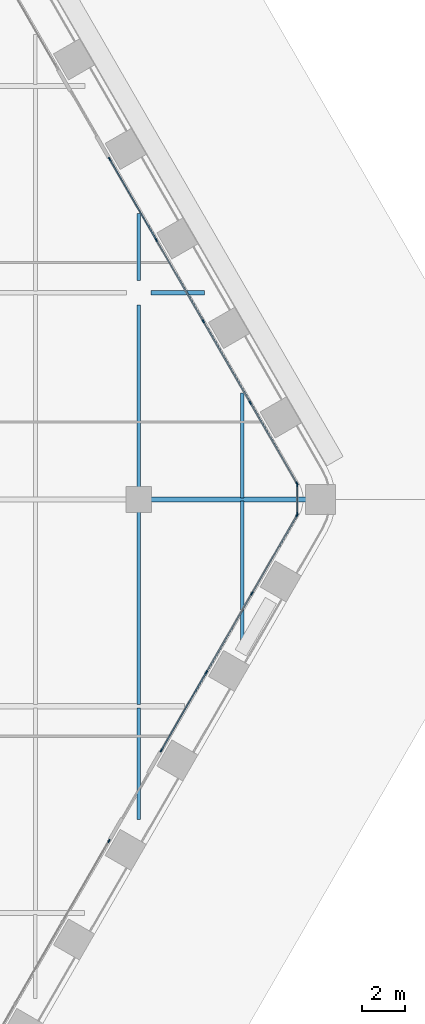
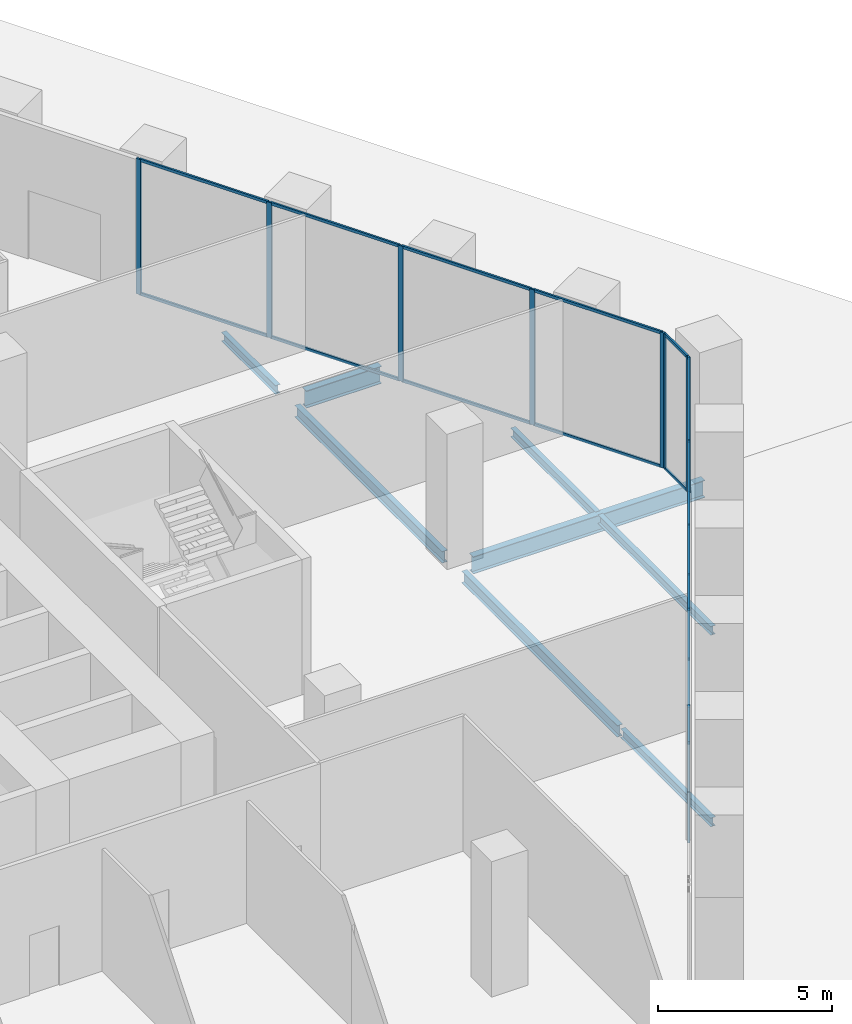
# One storey, part 11 of 29: 28 members, 8 beams, 4 elements without a shape of their own.
"""IFC4 building model written with IfcOpenShell, lengths in metres."""

from ifc_helpers import new_model, si_unit, direction, frame, origin, origin_2d, place, context, subcontext, project, spatial, rectangle, i_section, extrude, material, material_profile, profile_set, type_object, element, aggregate, save


model = new_model("IFC4")

# Units and contexts
model_context = context("Model", 3, precision=1e-05, world=origin(), true_north=direction((0.0, 1.0)))
body_context = subcontext(model_context, "Body", "Model", "MODEL_VIEW")
ifc_project = project(units=[si_unit("LENGTHUNIT", "METRE"), si_unit("AREAUNIT", "SQUARE_METRE"), si_unit("VOLUMEUNIT", "CUBIC_METRE"), si_unit("PLANEANGLEUNIT", "RADIAN"), si_unit("MASSUNIT", "GRAM", prefix="KILO")], contexts=[model_context])

# Site, building, storey
site_placement = place(None, origin())
site = spatial("IfcSite", under=ifc_project, at=site_placement, CompositionType="ELEMENT")
building_placement = place(site_placement, origin())
building = spatial("IfcBuilding", under=site, at=building_placement, Name="Kolab Exchange Tower", CompositionType="ELEMENT")
storey_placement = place(building_placement, frame((0.0, 0.0, 17.39990234375)))
storey = spatial("IfcBuildingStorey", under=building, at=storey_placement, Name="L03", CompositionType="ELEMENT", Elevation=17.39990234375)

# Beams
ifc_material_1 = material(Name="Steel S355", Category="steel")
ifc_material_profile_1 = material_profile(ifc_material_1, i_section(OverallWidth=0.1650390625, OverallDepth=0.31005859375, WebThickness=0.005859375, FlangeThickness=0.009765625, at=origin_2d()), Name="W310X39")
ifc_profile_set_1 = profile_set([ifc_material_profile_1], Name="Steel S355")
beam_type_1 = type_object("IfcBeamType", Name="FLOOR BEAM W310X39", PredefinedType="BEAM", material=ifc_profile_set_1)
beam_1_placement = place(storey_placement, frame((28.800048828125, -14.86767578125, -0.40478515625), z_axis=(0.0, 1.0, 0.0), x_axis=(-1.0, 0.0, 0.0)))
element("IfcBeam", 1, at=beam_1_placement, inside=storey, type_object=beam_type_1, Name="beam/L03/fr/074", PredefinedType="BEAM", context=body_context, shape_type="SweptSolid", body=[
    extrude(i_section(OverallWidth=0.1650390625, OverallDepth=0.31005859375, WebThickness=0.005859375, FlangeThickness=0.009765625, at=origin_2d()), origin(), (0.0, 0.0, 1.0), 5.1806640625),
])
beam_2_placement = place(storey_placement, frame((28.800048828125, 10.159912109375, -0.40478515625), z_axis=(0.0, 1.0, 0.0), x_axis=(-1.0, 0.0, 0.0)))
element("IfcBeam", 2, at=beam_2_placement, inside=storey, type_object=beam_type_1, Name="beam/L03/fr/077", PredefinedType="BEAM", context=body_context, shape_type="SweptSolid", body=[
    extrude(i_section(OverallWidth=0.1650390625, OverallDepth=0.31005859375, WebThickness=0.005859375, FlangeThickness=0.009765625, at=origin_2d()), origin(), (0.0, 0.0, 1.0), 3.107666015625),
])
beam_3_placement = place(storey_placement, frame((33.60009765625, -6.5537109375, -0.40478515625), z_axis=(0.0, 1.0, 0.0), x_axis=(-1.0, 0.0, 0.0)))
element("IfcBeam", 3, at=beam_3_placement, inside=storey, type_object=beam_type_1, Name="beam/L03/fr/078", PredefinedType="BEAM", context=body_context, shape_type="SweptSolid", body=[
    extrude(i_section(OverallWidth=0.1650390625, OverallDepth=0.31005859375, WebThickness=0.005859375, FlangeThickness=0.009765625, at=origin_2d()), origin(), (0.0, 0.0, 1.0), 6.479736328125),
])
beam_4_placement = place(storey_placement, frame((33.60009765625, 0.073974609375, -0.40478515625), z_axis=(0.0, 1.0, 0.0), x_axis=(-1.0, 0.0, 0.0)))
element("IfcBeam", 4, at=beam_4_placement, inside=storey, type_object=beam_type_1, Name="beam/L03/fr/079", PredefinedType="BEAM", context=body_context, shape_type="SweptSolid", body=[
    extrude(i_section(OverallWidth=0.1650390625, OverallDepth=0.31005859375, WebThickness=0.005859375, FlangeThickness=0.009765625, at=origin_2d()), origin(), (0.0, 0.0, 1.0), 4.8798828125),
])
ifc_material_profile_2 = material_profile(ifc_material_1, i_section(OverallWidth=0.177978515625, OverallDepth=0.406982421875, WebThickness=0.0078125, FlangeThickness=0.0126953125, at=origin_2d()), Name="W410X60")
ifc_profile_set_2 = profile_set([ifc_material_profile_2], Name="Steel S355")
beam_type_2 = type_object("IfcBeamType", Name="FLOOR BEAM W410X60", PredefinedType="BEAM", material=ifc_profile_set_2)
beam_5_placement = place(storey_placement, frame((28.800048828125, -9.512939453125, -0.453369140625), z_axis=(0.0, 1.0, 0.0), x_axis=(-1.0, 0.0, 0.0)))
element("IfcBeam", 5, at=beam_5_placement, inside=storey, type_object=beam_type_2, Name="beam/L03/fr/075", PredefinedType="BEAM", context=body_context, shape_type="SweptSolid", body=[
    extrude(i_section(OverallWidth=0.177978515625, OverallDepth=0.406982421875, WebThickness=0.0078125, FlangeThickness=0.0126953125, at=origin_2d()), origin(), (0.0, 0.0, 1.0), 8.952880859375),
])
beam_6_placement = place(storey_placement, frame((28.800048828125, 0.56005859375, -0.453369140625), z_axis=(0.0, 1.0, 0.0), x_axis=(-1.0, 0.0, 0.0)))
element("IfcBeam", 6, at=beam_6_placement, inside=storey, type_object=beam_type_2, Name="beam/L03/fr/076", PredefinedType="BEAM", context=body_context, shape_type="SweptSolid", body=[
    extrude(i_section(OverallWidth=0.177978515625, OverallDepth=0.406982421875, WebThickness=0.0078125, FlangeThickness=0.0126953125, at=origin_2d()), origin(), (0.0, 0.0, 1.0), 8.47998046875),
])
ifc_material_profile_3 = material_profile(ifc_material_1, i_section(OverallWidth=0.22802734375, OverallDepth=0.60791015625, WebThickness=0.01123046875, FlangeThickness=0.017333984375, at=origin_2d()), Name="W610X113")
ifc_profile_set_3 = profile_set([ifc_material_profile_3], Name="Steel S355")
beam_type_3 = type_object("IfcBeamType", Name="FLOOR GIRDER W610X113", PredefinedType="BEAM", material=ifc_profile_set_3)
beam_7_placement = place(storey_placement, frame((29.360107421875, 0.0, -0.553955078125), z_axis=(1.0, 0.0, 0.0), x_axis=(0.0, 1.0, 0.0)))
element("IfcBeam", 7, at=beam_7_placement, inside=storey, type_object=beam_type_3, Name="beam/L03/gd/034", PredefinedType="BEAM", context=body_context, shape_type="SweptSolid", body=[
    extrude(i_section(OverallWidth=0.22802734375, OverallDepth=0.60791015625, WebThickness=0.01123046875, FlangeThickness=0.017333984375, at=origin_2d()), origin(), (0.0, 0.0, 1.0), 7.693603515625),
])
beam_8_placement = place(storey_placement, frame((29.360107421875, 9.60009765625, -0.553955078125), z_axis=(1.0, 0.0, 0.0), x_axis=(0.0, 1.0, 0.0)))
element("IfcBeam", 8, at=beam_8_placement, inside=storey, type_object=beam_type_3, Name="beam/L03/gd/035", PredefinedType="BEAM", context=body_context, shape_type="SweptSolid", body=[
    extrude(i_section(OverallWidth=0.22802734375, OverallDepth=0.60791015625, WebThickness=0.01123046875, FlangeThickness=0.017333984375, at=origin_2d()), origin(), (0.0, 0.0, 1.0), 2.498046875),
])

# Curtain wall, members
ifc_material_2 = material(Name="Aluminium EN AW-6063 T6", Category="aluminium")
curtain_wall_type = type_object("IfcCurtainWallType", Name="UNITISED LOW ZONE CURTAIN WALL", PredefinedType="NOTDEFINED", material=ifc_material_2)
curtain_wall_1_placement = place(storey_placement, origin())
curtain_wall_1 = element("IfcCurtainWall", 9, at=curtain_wall_1_placement, inside=storey, type_object=curtain_wall_type, Name="cw/L03/F2-2", PredefinedType="NOTDEFINED")
ifc_material_profile_4 = material_profile(ifc_material_2, rectangle(XDim=0.06005859375, YDim=0.159912109375, at=origin_2d()), Name="RECT 60X160")
ifc_profile_set_4 = profile_set([ifc_material_profile_4], Name="Aluminium EN AW-6063 T6")
member_type_1 = type_object("IfcMemberType", Name="UNITISED LOW ZONE MULLION 60 X 160", PredefinedType="MULLION", material=ifc_profile_set_4)
member_1_placement = place(storey_placement, frame((27.44677734375, 15.811767578125, 0.0), z_axis=(0.0, 0.0, 1.0), x_axis=(0.866025422102, 0.499999968274, 0.0)))
member_1 = element("IfcMember", 10, at=member_1_placement, type_object=member_type_1, Name="CW1 mullion 1", PredefinedType="MULLION", context=body_context, shape_type="SweptSolid", body=[
    extrude(rectangle(XDim=0.06005859375, YDim=0.159912109375, at=origin_2d()), origin(), (0.0, 0.0, 1.0), 4.75),
])
member_2_placement = place(storey_placement, frame((29.615234375, 12.0556640625, 0.0), z_axis=(0.0, 0.0, 1.0), x_axis=(0.866025422102, 0.499999968274, 0.0)))
member_2 = element("IfcMember", 11, at=member_2_placement, type_object=member_type_1, Name="CW1 mullion 2", PredefinedType="MULLION", context=body_context, shape_type="SweptSolid", body=[
    extrude(rectangle(XDim=0.06005859375, YDim=0.159912109375, at=origin_2d()), origin(), (0.0, 0.0, 1.0), 4.75),
])
member_3_placement = place(storey_placement, frame((31.798583984375, 8.27392578125, 0.0), z_axis=(0.0, 0.0, 1.0), x_axis=(0.866025422102, 0.499999968274, 0.0)))
member_3 = element("IfcMember", 12, at=member_3_placement, type_object=member_type_1, Name="CW1 mullion 3", PredefinedType="MULLION", context=body_context, shape_type="SweptSolid", body=[
    extrude(rectangle(XDim=0.06005859375, YDim=0.159912109375, at=origin_2d()), origin(), (0.0, 0.0, 1.0), 4.75),
])
member_4_placement = place(storey_placement, frame((33.982177734375, 4.491943359375, 0.0), z_axis=(0.0, 0.0, 1.0), x_axis=(0.866025422102, 0.499999968274, 0.0)))
member_4 = element("IfcMember", 13, at=member_4_placement, type_object=member_type_1, Name="CW1 mullion 4", PredefinedType="MULLION", context=body_context, shape_type="SweptSolid", body=[
    extrude(rectangle(XDim=0.06005859375, YDim=0.159912109375, at=origin_2d()), origin(), (0.0, 0.0, 1.0), 4.75),
])
member_5_placement = place(storey_placement, frame((36.150634765625, 0.736083984375, 0.0), z_axis=(0.0, 0.0, 1.0), x_axis=(0.866025422102, 0.499999968274, 0.0)))
member_5 = element("IfcMember", 14, at=member_5_placement, type_object=member_type_1, Name="CW1 mullion 5", PredefinedType="MULLION", context=body_context, shape_type="SweptSolid", body=[
    extrude(rectangle(XDim=0.06005859375, YDim=0.159912109375, at=origin_2d()), origin(), (0.0, 0.0, 1.0), 4.75),
])

curtain_wall_2_placement = place(storey_placement, origin())
curtain_wall_2 = element("IfcCurtainWall", 15, at=curtain_wall_2_placement, inside=storey, type_object=curtain_wall_type, Name="cw/L03/F3-1", PredefinedType="NOTDEFINED")
member_6_placement = place(storey_placement, frame((36.150634765625, -0.736083984375, 0.0), z_axis=(0.0, 0.0, 1.0), x_axis=(0.866025427826, -0.499999958358, 0.0)))
member_6 = element("IfcMember", 16, at=member_6_placement, type_object=member_type_1, Name="CW1 mullion 1", PredefinedType="MULLION", context=body_context, shape_type="SweptSolid", body=[
    extrude(rectangle(XDim=0.06005859375, YDim=0.159912109375, at=origin_2d()), origin(), (0.0, 0.0, 1.0), 4.75),
])
member_7_placement = place(storey_placement, frame((34.054443359375, -4.366943359375, 0.0), z_axis=(0.0, 0.0, 1.0), x_axis=(0.866025427826, -0.499999958358, 0.0)))
member_7 = element("IfcMember", 17, at=member_7_placement, type_object=member_type_1, Name="CW1 mullion 2", PredefinedType="MULLION", context=body_context, shape_type="SweptSolid", body=[
    extrude(rectangle(XDim=0.06005859375, YDim=0.159912109375, at=origin_2d()), origin(), (0.0, 0.0, 1.0), 4.75),
])
member_8_placement = place(storey_placement, frame((31.943115234375, -8.02392578125, 0.0), z_axis=(0.0, 0.0, 1.0), x_axis=(0.866025427826, -0.499999958358, 0.0)))
member_8 = element("IfcMember", 18, at=member_8_placement, type_object=member_type_1, Name="CW1 mullion 3", PredefinedType="MULLION", context=body_context, shape_type="SweptSolid", body=[
    extrude(rectangle(XDim=0.06005859375, YDim=0.159912109375, at=origin_2d()), origin(), (0.0, 0.0, 1.0), 4.75),
])
member_9_placement = place(storey_placement, frame((29.8466796875, -11.65478515625, 0.0), z_axis=(0.0, 0.0, 1.0), x_axis=(0.866025427826, -0.499999958358, 0.0)))
member_9 = element("IfcMember", 19, at=member_9_placement, type_object=member_type_1, Name="CW1 mullion 4", PredefinedType="MULLION", context=body_context, shape_type="SweptSolid", body=[
    extrude(rectangle(XDim=0.06005859375, YDim=0.159912109375, at=origin_2d()), origin(), (0.0, 0.0, 1.0), 4.75),
])

# Curtain wall, member
curtain_wall_3_placement = place(storey_placement, origin())
curtain_wall_3 = element("IfcCurtainWall", 20, at=curtain_wall_3_placement, inside=storey, type_object=curtain_wall_type, Name="cw/L03/F3-2", PredefinedType="NOTDEFINED")
member_10_placement = place(storey_placement, frame((27.416748046875, -15.86376953125, 0.0), z_axis=(0.0, 0.0, 1.0), x_axis=(0.866025397318, -0.5000000112, 0.0)))
member_10 = element("IfcMember", 21, at=member_10_placement, type_object=member_type_1, Name="CW1 mullion 1", PredefinedType="MULLION", context=body_context, shape_type="SweptSolid", body=[
    extrude(rectangle(XDim=0.06005859375, YDim=0.159912109375, at=origin_2d()), origin(), (0.0, 0.0, 1.0), 4.75),
])
aggregate(curtain_wall_3, [member_10])

# Curtain wall, members
curtain_wall_4_placement = place(storey_placement, origin())
curtain_wall_4 = element("IfcCurtainWall", 22, at=curtain_wall_4_placement, inside=storey, type_object=curtain_wall_type, Name="cw/L03/F2F3-corner", PredefinedType="NOTDEFINED")
member_11_placement = place(storey_placement, frame((36.165771484375, 0.679931640625, 0.0), z_axis=(0.0, 0.0, 1.0), x_axis=(1.0, 0.0, 0.0)))
member_11 = element("IfcMember", 23, at=member_11_placement, type_object=member_type_1, Name="CW1 mullion 1", PredefinedType="MULLION", context=body_context, shape_type="SweptSolid", body=[
    extrude(rectangle(XDim=0.06005859375, YDim=0.159912109375, at=origin_2d()), origin(), (0.0, 0.0, 1.0), 4.75),
])
member_12_placement = place(storey_placement, frame((36.165771484375, -0.679931640625, 0.0), z_axis=(0.0, 0.0, 1.0), x_axis=(1.0, 0.0, 0.0)))
member_12 = element("IfcMember", 24, at=member_12_placement, type_object=member_type_1, Name="CW1 mullion 2", PredefinedType="MULLION", context=body_context, shape_type="SweptSolid", body=[
    extrude(rectangle(XDim=0.06005859375, YDim=0.159912109375, at=origin_2d()), origin(), (0.0, 0.0, 1.0), 4.75),
])

# Member
ifc_material_profile_5 = material_profile(ifc_material_2, rectangle(XDim=0.06005859375, YDim=0.10009765625, at=origin_2d()), Name="RECT 60X100")
ifc_profile_set_5 = profile_set([ifc_material_profile_5], Name="Aluminium EN AW-6063 T6")
member_type_2 = type_object("IfcMemberType", Name="UNITISED LOW ZONE TRANSOM 60 X 100", PredefinedType="USERDEFINED", material=ifc_profile_set_5)
member_13_placement = place(storey_placement, frame((27.461669921875, 15.78564453125, 0.030029296875), z_axis=(0.500000816281, -0.866024932504, 0.0), x_axis=(0.866024932504, 0.500000816281, 0.0)))
member_13 = element("IfcMember", 25, at=member_13_placement, type_object=member_type_2, Name="CW1 transom 1.1", ObjectType="TRANSOM", PredefinedType="USERDEFINED", context=body_context, shape_type="SweptSolid", body=[
    extrude(rectangle(XDim=0.06005859375, YDim=0.10009765625, at=origin_2d()), origin(), (0.0, 0.0, 1.0), 4.27685546875),
])

member_14_placement = place(storey_placement, frame((27.461669921875, 15.78564453125, 4.72021484375), z_axis=(0.500000816281, -0.866024932504, 0.0), x_axis=(0.866024932504, 0.500000816281, 0.0)))
member_14 = element("IfcMember", 26, at=member_14_placement, type_object=member_type_2, Name="CW1 transom 1.2", ObjectType="TRANSOM", PredefinedType="USERDEFINED", context=body_context, shape_type="SweptSolid", body=[
    extrude(rectangle(XDim=0.06005859375, YDim=0.10009765625, at=origin_2d()), origin(), (0.0, 0.0, 1.0), 4.27685546875),
])

member_15_placement = place(storey_placement, frame((29.630126953125, 12.02978515625, 0.030029296875), z_axis=(0.500010313095, -0.866019449435, 0.0), x_axis=(0.866019449435, 0.500010313095, 0.0)))
member_15 = element("IfcMember", 27, at=member_15_placement, type_object=member_type_2, Name="CW1 transom 2.1", ObjectType="TRANSOM", PredefinedType="USERDEFINED", context=body_context, shape_type="SweptSolid", body=[
    extrude(rectangle(XDim=0.06005859375, YDim=0.10009765625, at=origin_2d()), origin(), (0.0, 0.0, 1.0), 4.30712890625),
])

member_16_placement = place(storey_placement, frame((29.630126953125, 12.02978515625, 4.72021484375), z_axis=(0.500010313095, -0.866019449435, 0.0), x_axis=(0.866019449435, 0.500010313095, 0.0)))
member_16 = element("IfcMember", 28, at=member_16_placement, type_object=member_type_2, Name="CW1 transom 2.2", ObjectType="TRANSOM", PredefinedType="USERDEFINED", context=body_context, shape_type="SweptSolid", body=[
    extrude(rectangle(XDim=0.06005859375, YDim=0.10009765625, at=origin_2d()), origin(), (0.0, 0.0, 1.0), 4.30712890625),
])

member_17_placement = place(storey_placement, frame((31.813720703125, 8.247802734375, 0.030029296875), z_axis=(0.499967798808, -0.866043994353, 0.0), x_axis=(0.866043994353, 0.499967798808, 0.0)))
member_17 = element("IfcMember", 29, at=member_17_placement, type_object=member_type_2, Name="CW1 transom 3.1", ObjectType="TRANSOM", PredefinedType="USERDEFINED", context=body_context, shape_type="SweptSolid", body=[
    extrude(rectangle(XDim=0.06005859375, YDim=0.10009765625, at=origin_2d()), origin(), (0.0, 0.0, 1.0), 4.306884765625),
])

member_18_placement = place(storey_placement, frame((31.813720703125, 8.247802734375, 4.72021484375), z_axis=(0.499967798808, -0.866043994353, 0.0), x_axis=(0.866043994353, 0.499967798808, 0.0)))
member_18 = element("IfcMember", 30, at=member_18_placement, type_object=member_type_2, Name="CW1 transom 3.2", ObjectType="TRANSOM", PredefinedType="USERDEFINED", context=body_context, shape_type="SweptSolid", body=[
    extrude(rectangle(XDim=0.06005859375, YDim=0.10009765625, at=origin_2d()), origin(), (0.0, 0.0, 1.0), 4.306884765625),
])

member_19_placement = place(storey_placement, frame((33.9970703125, 4.4658203125, 0.030029296875), z_axis=(0.500043627578, -0.866000213925, 0.0), x_axis=(0.866000213925, 0.500043627578, 0.0)))
member_19 = element("IfcMember", 31, at=member_19_placement, type_object=member_type_2, Name="CW1 transom 4.1", ObjectType="TRANSOM", PredefinedType="USERDEFINED", context=body_context, shape_type="SweptSolid", body=[
    extrude(rectangle(XDim=0.06005859375, YDim=0.10009765625, at=origin_2d()), origin(), (0.0, 0.0, 1.0), 4.27685546875),
])

member_20_placement = place(storey_placement, frame((33.9970703125, 4.4658203125, 4.72021484375), z_axis=(0.500043627578, -0.866000213925, 0.0), x_axis=(0.866000213925, 0.500043627578, 0.0)))
member_20 = element("IfcMember", 32, at=member_20_placement, type_object=member_type_2, Name="CW1 transom 4.2", ObjectType="TRANSOM", PredefinedType="USERDEFINED", context=body_context, shape_type="SweptSolid", body=[
    extrude(rectangle(XDim=0.06005859375, YDim=0.10009765625, at=origin_2d()), origin(), (0.0, 0.0, 1.0), 4.27685546875),
])

aggregate(curtain_wall_1, [member_1, member_2, member_3, member_4, member_5, member_13, member_14, member_15, member_16, member_17, member_18, member_19, member_20])

member_21_placement = place(storey_placement, frame((36.1357421875, -0.761962890625, 0.030029296875), z_axis=(-0.500027577057, -0.866009481578, 0.0), x_axis=(0.866009481578, -0.500027577057, 0.0)))
member_21 = element("IfcMember", 33, at=member_21_placement, type_object=member_type_2, Name="CW1 transom 1.1", ObjectType="TRANSOM", PredefinedType="USERDEFINED", context=body_context, shape_type="SweptSolid", body=[
    extrude(rectangle(XDim=0.06005859375, YDim=0.10009765625, at=origin_2d()), origin(), (0.0, 0.0, 1.0), 4.132568359375),
])

member_22_placement = place(storey_placement, frame((36.1357421875, -0.761962890625, 4.72021484375), z_axis=(-0.500027577057, -0.866009481578, 0.0), x_axis=(0.866009481578, -0.500027577057, 0.0)))
member_22 = element("IfcMember", 34, at=member_22_placement, type_object=member_type_2, Name="CW1 transom 1.2", ObjectType="TRANSOM", PredefinedType="USERDEFINED", context=body_context, shape_type="SweptSolid", body=[
    extrude(rectangle(XDim=0.06005859375, YDim=0.10009765625, at=origin_2d()), origin(), (0.0, 0.0, 1.0), 4.132568359375),
])

member_23_placement = place(storey_placement, frame((34.039306640625, -4.392822265625, 0.030029296875), z_axis=(-0.49999322259, -0.866029316688, 0.0), x_axis=(0.866029316688, -0.49999322259, 0.0)))
member_23 = element("IfcMember", 35, at=member_23_placement, type_object=member_type_2, Name="CW1 transom 2.1", ObjectType="TRANSOM", PredefinedType="USERDEFINED", context=body_context, shape_type="SweptSolid", body=[
    extrude(rectangle(XDim=0.06005859375, YDim=0.10009765625, at=origin_2d()), origin(), (0.0, 0.0, 1.0), 4.16259765625),
])

member_24_placement = place(storey_placement, frame((34.039306640625, -4.392822265625, 4.72021484375), z_axis=(-0.49999322259, -0.866029316688, 0.0), x_axis=(0.866029316688, -0.49999322259, 0.0)))
member_24 = element("IfcMember", 36, at=member_24_placement, type_object=member_type_2, Name="CW1 transom 2.2", ObjectType="TRANSOM", PredefinedType="USERDEFINED", context=body_context, shape_type="SweptSolid", body=[
    extrude(rectangle(XDim=0.06005859375, YDim=0.10009765625, at=origin_2d()), origin(), (0.0, 0.0, 1.0), 4.16259765625),
])

member_25_placement = place(storey_placement, frame((31.927978515625, -8.0498046875, 0.030029296875), z_axis=(-0.500001996123, -0.866024251319, 0.0), x_axis=(0.866024251319, -0.500001996123, 0.0)))
member_25 = element("IfcMember", 37, at=member_25_placement, type_object=member_type_2, Name="CW1 transom 3.1", ObjectType="TRANSOM", PredefinedType="USERDEFINED", context=body_context, shape_type="SweptSolid", body=[
    extrude(rectangle(XDim=0.06005859375, YDim=0.10009765625, at=origin_2d()), origin(), (0.0, 0.0, 1.0), 4.1328125),
])

member_26_placement = place(storey_placement, frame((31.927978515625, -8.0498046875, 4.72021484375), z_axis=(-0.500001996123, -0.866024251319, 0.0), x_axis=(0.866024251319, -0.500001996123, 0.0)))
member_26 = element("IfcMember", 38, at=member_26_placement, type_object=member_type_2, Name="CW1 transom 3.2", ObjectType="TRANSOM", PredefinedType="USERDEFINED", context=body_context, shape_type="SweptSolid", body=[
    extrude(rectangle(XDim=0.06005859375, YDim=0.10009765625, at=origin_2d()), origin(), (0.0, 0.0, 1.0), 4.1328125),
])

aggregate(curtain_wall_2, [member_6, member_7, member_8, member_9, member_21, member_22, member_23, member_24, member_25, member_26])

member_27_placement = place(storey_placement, frame((36.165771484375, 0.64990234375, 0.030029296875), z_axis=(0.0, -1.0, 0.0), x_axis=(1.0, 0.0, 0.0)))
member_27 = element("IfcMember", 39, at=member_27_placement, type_object=member_type_2, Name="CW1 transom 1.1", ObjectType="TRANSOM", PredefinedType="USERDEFINED", context=body_context, shape_type="SweptSolid", body=[
    extrude(rectangle(XDim=0.06005859375, YDim=0.10009765625, at=origin_2d()), origin(), (0.0, 0.0, 1.0), 1.2998046875),
])

member_28_placement = place(storey_placement, frame((36.165771484375, 0.64990234375, 4.72021484375), z_axis=(0.0, -1.0, 0.0), x_axis=(1.0, 0.0, 0.0)))
member_28 = element("IfcMember", 40, at=member_28_placement, type_object=member_type_2, Name="CW1 transom 1.2", ObjectType="TRANSOM", PredefinedType="USERDEFINED", context=body_context, shape_type="SweptSolid", body=[
    extrude(rectangle(XDim=0.06005859375, YDim=0.10009765625, at=origin_2d()), origin(), (0.0, 0.0, 1.0), 1.2998046875),
])

aggregate(curtain_wall_4, [member_11, member_12, member_27, member_28])

save(model, "model.ifc")
